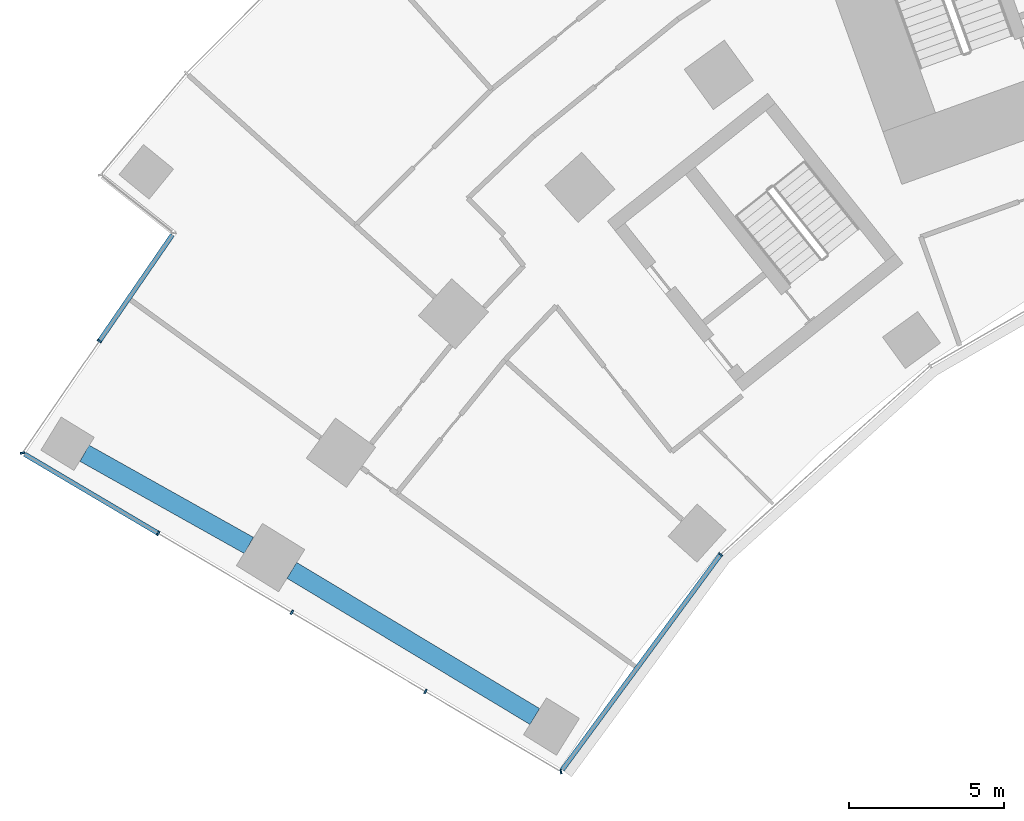
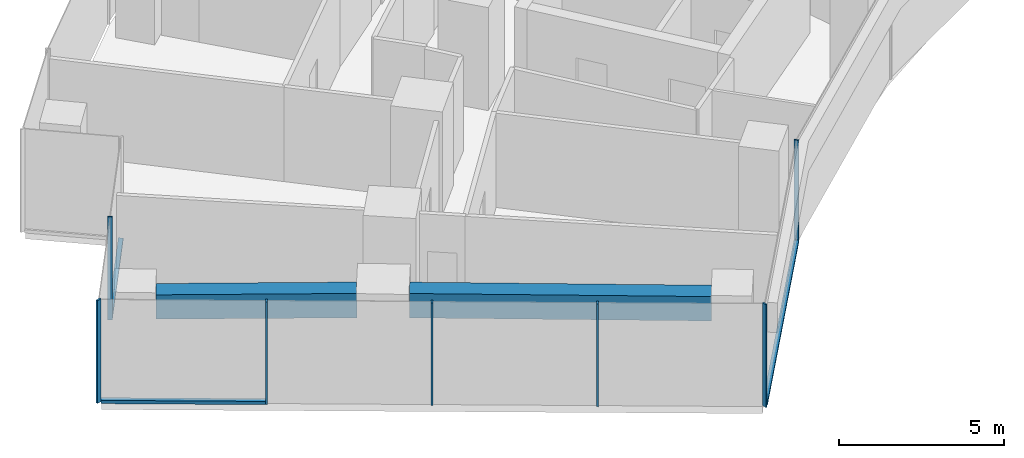
# One storey, part 2 of 21: 10 members, 2 beams, 3 elements without a shape of their own.
"""IFC4 building model written with IfcOpenShell, lengths in metres."""

from ifc_helpers import new_model, si_unit, direction, frame, origin, origin_2d, place, context, subcontext, project, spatial, rectangle, extrude, material, layer, layer_set, material_profile, profile_set, type_object, element, aggregate, save


model = new_model("IFC4")

# Units and contexts
model_context = context("Model", 3, precision=1e-05, world=origin(), true_north=direction((0.0, 1.0)))
body_context = subcontext(model_context, "Body", "Model", "MODEL_VIEW")
ifc_project = project(units=[si_unit("LENGTHUNIT", "METRE"), si_unit("AREAUNIT", "SQUARE_METRE"), si_unit("VOLUMEUNIT", "CUBIC_METRE"), si_unit("PLANEANGLEUNIT", "RADIAN"), si_unit("MASSUNIT", "GRAM", prefix="KILO")], contexts=[model_context])

# Site, building, storey
site_placement = place(None, origin())
site = spatial("IfcSite", under=ifc_project, at=site_placement, CompositionType="ELEMENT")
building_placement = place(site_placement, origin())
building = spatial("IfcBuilding", under=site, at=building_placement, Name="Stone Belt Terrace Tower", CompositionType="ELEMENT")
storey_placement = place(building_placement, frame((0.0, 0.0, 49.0)))
storey = spatial("IfcBuildingStorey", under=building, at=storey_placement, Name="L11", CompositionType="ELEMENT", Elevation=49.0)

# Curtain wall, members
ifc_material_1 = material(Name="Aluminium 6063-T6 anodised frame", Category="aluminium")
ifc_layer_1 = layer(ifc_material_1, 0.14990234375)
ifc_layer_set_1 = layer_set([ifc_layer_1], Name="CW-B unitised concave-face curtain wall")
curtain_wall_type_1 = type_object("IfcCurtainWallType", Name="CW-B unitised concave-face curtain wall", PredefinedType="NOTDEFINED", material=ifc_layer_set_1)
curtain_wall_1_placement = place(storey_placement, origin())
curtain_wall_1 = element("IfcCurtainWall", 1, at=curtain_wall_1_placement, inside=storey, type_object=curtain_wall_type_1, Name="CW-B concave face L11", PredefinedType="NOTDEFINED")
ifc_material_profile_1 = material_profile(ifc_material_1, rectangle(XDim=0.14990234375, YDim=0.050048828125, at=origin_2d()), Name="Aluminium 6063-T6 50x150")
ifc_profile_set_1 = profile_set([ifc_material_profile_1], Name="Aluminium 6063-T6 anodised frame")
member_type_1 = type_object("IfcMemberType", Name="CW-B mullion 50 x 150", PredefinedType="MULLION", material=ifc_profile_set_1)
member_1_placement = place(storey_placement, frame((-37.4140625, 22.0576171875, 0.0), z_axis=(0.0, 0.0, 1.0), x_axis=(-0.199957039009, 0.979804665508, 0.0)))
member_1 = element("IfcMember", 2, at=member_1_placement, type_object=member_type_1, Name="CW-B mullion 1", PredefinedType="MULLION", context=body_context, shape_type="SweptSolid", body=[
    extrude(rectangle(XDim=0.14990234375, YDim=0.050048828125, at=origin_2d()), origin(), (0.0, 0.0, 1.0), 3.800048828125),
])
member_2_placement = place(storey_placement, frame((-32.27099609375, 29.056640625, 0.0), z_axis=(0.0, 0.0, 1.0), x_axis=(-0.741329775891, 0.671140941515, 0.0)))
member_2 = element("IfcMember", 3, at=member_2_placement, type_object=member_type_1, Name="CW-B mullion 2", PredefinedType="MULLION", context=body_context, shape_type="SweptSolid", body=[
    extrude(rectangle(XDim=0.14990234375, YDim=0.050048828125, at=origin_2d()), origin(), (0.0, 0.0, 1.0), 3.800048828125),
])
ifc_material_profile_2 = material_profile(ifc_material_1, rectangle(XDim=0.14990234375, YDim=0.1201171875, at=origin_2d()), Name="Aluminium 6063-T6 150x120")
ifc_profile_set_2 = profile_set([ifc_material_profile_2], Name="Aluminium 6063-T6 anodised frame")
member_type_2 = type_object("IfcMemberType", Name="CW-B transom 120 x 150", PredefinedType="USERDEFINED", material=ifc_profile_set_2)
member_3_placement = place(storey_placement, frame((-37.373291015625, 22.11328125, 0.06005859375), z_axis=(0.592180847905, 0.805805090189, 0.0), x_axis=(-0.805805090189, 0.592180847905, 0.0)))
member_3 = element("IfcMember", 4, at=member_3_placement, type_object=member_type_2, Name="CW-B transom 1.1", ObjectType="TRANSOM", PredefinedType="USERDEFINED", context=body_context, shape_type="SweptSolid", body=[
    extrude(rectangle(XDim=0.14990234375, YDim=0.1201171875, at=origin_2d()), origin(), (0.0, 0.0, 1.0), 8.583984375),
])
aggregate(curtain_wall_1, [member_1, member_2, member_3])

# Curtain wall, member
ifc_layer_2 = layer(ifc_material_1, 0.14990234375)
ifc_layer_set_2 = layer_set([ifc_layer_2], Name="CW-C stick curtain wall, horn ends and notches")
curtain_wall_type_2 = type_object("IfcCurtainWallType", Name="CW-C stick curtain wall, horn ends and notches", PredefinedType="NOTDEFINED", material=ifc_layer_set_2)
curtain_wall_2_placement = place(storey_placement, origin())
curtain_wall_2 = element("IfcCurtainWall", 5, at=curtain_wall_2_placement, inside=storey, type_object=curtain_wall_type_2, Name="CW-C notch face L11", PredefinedType="NOTDEFINED")
ifc_material_profile_3 = material_profile(ifc_material_1, rectangle(XDim=0.14990234375, YDim=0.06005859375, at=origin_2d()), Name="Aluminium 6063-T6 60x150")
ifc_profile_set_3 = profile_set([ifc_material_profile_3], Name="Aluminium 6063-T6 anodised frame")
member_type_3 = type_object("IfcMemberType", Name="CW-C mullion 60 x 150", PredefinedType="MULLION", material=ifc_profile_set_3)
member_4_placement = place(storey_placement, frame((-52.275390625, 35.925048828125, 0.0), z_axis=(0.0, 0.0, 1.0), x_axis=(0.824146991357, -0.566375967567, 0.0)))
member_4 = element("IfcMember", 6, at=member_4_placement, type_object=member_type_3, Name="CW-C mullion 2", PredefinedType="MULLION", context=body_context, shape_type="SweptSolid", body=[
    extrude(rectangle(XDim=0.14990234375, YDim=0.06005859375, at=origin_2d()), origin(), (0.0, 0.0, 1.0), 3.800048828125),
])

# Curtain wall, members
curtain_wall_3_placement = place(storey_placement, origin())
curtain_wall_3 = element("IfcCurtainWall", 7, at=curtain_wall_3_placement, inside=storey, type_object=curtain_wall_type_2, Name="CW-C end face L11", PredefinedType="NOTDEFINED")
member_5_placement = place(storey_placement, frame((-54.752685546875, 32.3203125, 0.0), z_axis=(0.0, 0.0, 1.0), x_axis=(0.976519557331, 0.215428768157, 0.0)))
member_5 = element("IfcMember", 8, at=member_5_placement, type_object=member_type_3, Name="CW-C mullion 1", PredefinedType="MULLION", context=body_context, shape_type="SweptSolid", body=[
    extrude(rectangle(XDim=0.14990234375, YDim=0.06005859375, at=origin_2d()), origin(), (0.0, 0.0, 1.0), 3.800048828125),
])
member_6_placement = place(storey_placement, frame((-50.380859375, 29.732666015625, 0.0), z_axis=(0.0, 0.0, 1.0), x_axis=(0.509352918793, 0.860557728521, 0.0)))
member_6 = element("IfcMember", 9, at=member_6_placement, type_object=member_type_3, Name="CW-C mullion 2", PredefinedType="MULLION", context=body_context, shape_type="SweptSolid", body=[
    extrude(rectangle(XDim=0.14990234375, YDim=0.06005859375, at=origin_2d()), origin(), (0.0, 0.0, 1.0), 3.800048828125),
])
member_7_placement = place(storey_placement, frame((-46.078125, 27.185791015625, 0.0), z_axis=(0.0, 0.0, 1.0), x_axis=(0.509352918793, 0.860557728521, 0.0)))
member_7 = element("IfcMember", 10, at=member_7_placement, type_object=member_type_3, Name="CW-C mullion 3", PredefinedType="MULLION", context=body_context, shape_type="SweptSolid", body=[
    extrude(rectangle(XDim=0.14990234375, YDim=0.06005859375, at=origin_2d()), origin(), (0.0, 0.0, 1.0), 3.800048828125),
])
member_8_placement = place(storey_placement, frame((-41.775146484375, 24.63916015625, 0.0), z_axis=(0.0, 0.0, 1.0), x_axis=(0.509352918793, 0.860557728521, 0.0)))
member_8 = element("IfcMember", 11, at=member_8_placement, type_object=member_type_3, Name="CW-C mullion 4", PredefinedType="MULLION", context=body_context, shape_type="SweptSolid", body=[
    extrude(rectangle(XDim=0.14990234375, YDim=0.06005859375, at=origin_2d()), origin(), (0.0, 0.0, 1.0), 3.800048828125),
])

# Member
ifc_material_profile_4 = material_profile(ifc_material_1, rectangle(XDim=0.14990234375, YDim=0.1201171875, at=origin_2d()), Name="Aluminium 6063-T6 150x120")
ifc_profile_set_4 = profile_set([ifc_material_profile_4], Name="Aluminium 6063-T6 anodised frame")
member_type_4 = type_object("IfcMemberType", Name="CW-C transom 120 x 150", PredefinedType="USERDEFINED", material=ifc_profile_set_4)
member_9_placement = place(storey_placement, frame((-49.924560546875, 39.345703125, 0.06005859375), z_axis=(-0.566362850847, -0.824156005365, 0.0), x_axis=(0.824156005365, -0.566362850847, 0.0)))
member_9 = element("IfcMember", 12, at=member_9_placement, type_object=member_type_4, Name="CW-C transom 1.1", ObjectType="TRANSOM", PredefinedType="USERDEFINED", context=body_context, shape_type="SweptSolid", body=[
    extrude(rectangle(XDim=0.14990234375, YDim=0.1201171875, at=origin_2d()), origin(), (0.0, 0.0, 1.0), 4.12060546875),
])

aggregate(curtain_wall_2, [member_4, member_9])

member_10_placement = place(storey_placement, frame((-54.68798828125, 32.281982421875, 0.06005859375), z_axis=(0.860543319846, -0.509377261633, 0.0), x_axis=(0.509377261633, 0.860543319846, 0.0)))
member_10 = element("IfcMember", 13, at=member_10_placement, type_object=member_type_4, Name="CW-C transom 1.1", ObjectType="TRANSOM", PredefinedType="USERDEFINED", context=body_context, shape_type="SweptSolid", body=[
    extrude(rectangle(XDim=0.14990234375, YDim=0.1201171875, at=origin_2d()), origin(), (0.0, 0.0, 1.0), 4.97509765625),
])

aggregate(curtain_wall_3, [member_5, member_6, member_7, member_8, member_10])

# Beams
ifc_material_2 = material(Name="Concrete B60", Category="concrete")
ifc_material_profile_5 = material_profile(ifc_material_2, rectangle(XDim=0.60009765625, YDim=0.89990234375, at=origin_2d()), Name="RC 600x900")
ifc_profile_set_5 = profile_set([ifc_material_profile_5], Name="Concrete B60")
beam_type = type_object("IfcBeamType", Name="Edge beam RC 600x900 B60", PredefinedType="SPANDREL", material=ifc_profile_set_5)
beam_1_placement = place(storey_placement, frame((-38.253662109375, 23.83203125, 3.030029296875), z_axis=(-0.856900189152, 0.51548236229, 0.0), x_axis=(-0.51548236229, -0.856900189152, 0.0)))
element("IfcBeam", 14, at=beam_1_placement, inside=storey, type_object=beam_type, Name="Edge beam L11 A P to Q", PredefinedType="SPANDREL", context=body_context, shape_type="SweptSolid", body=[
    extrude(rectangle(XDim=0.60009765625, YDim=0.89990234375, at=origin_2d()), origin(), (0.0, 0.0, 1.0), 9.130859375),
])
beam_2_placement = place(storey_placement, frame((-47.4619140625, 29.3427734375, 3.030029296875), z_axis=(-0.872212947991, 0.489126336806, 0.0), x_axis=(-0.489126336806, -0.872212947991, 0.0)))
element("IfcBeam", 15, at=beam_2_placement, inside=storey, type_object=beam_type, Name="Edge beam L11 A Q to R", PredefinedType="SPANDREL", context=body_context, shape_type="SweptSolid", body=[
    extrude(rectangle(XDim=0.60009765625, YDim=0.89990234375, at=origin_2d()), origin(), (0.0, 0.0, 1.0), 6.069091796875),
])

save(model, "model.ifc")
